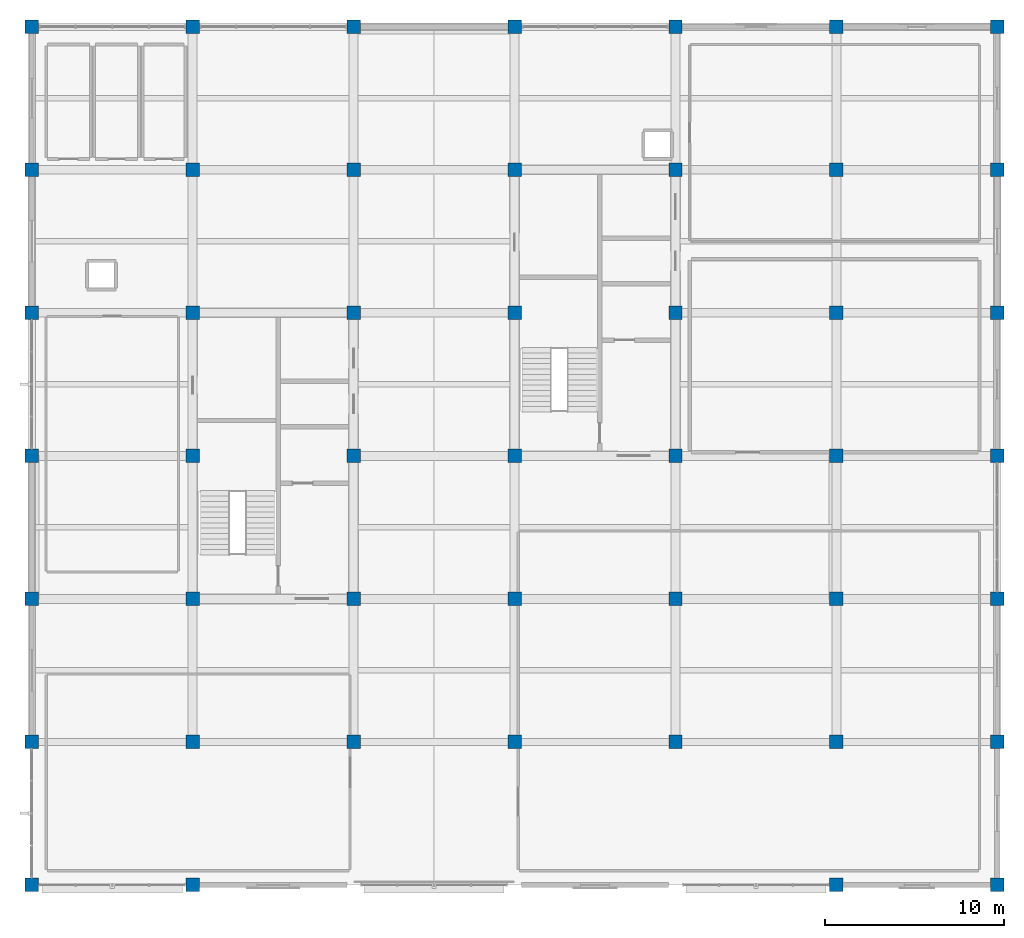
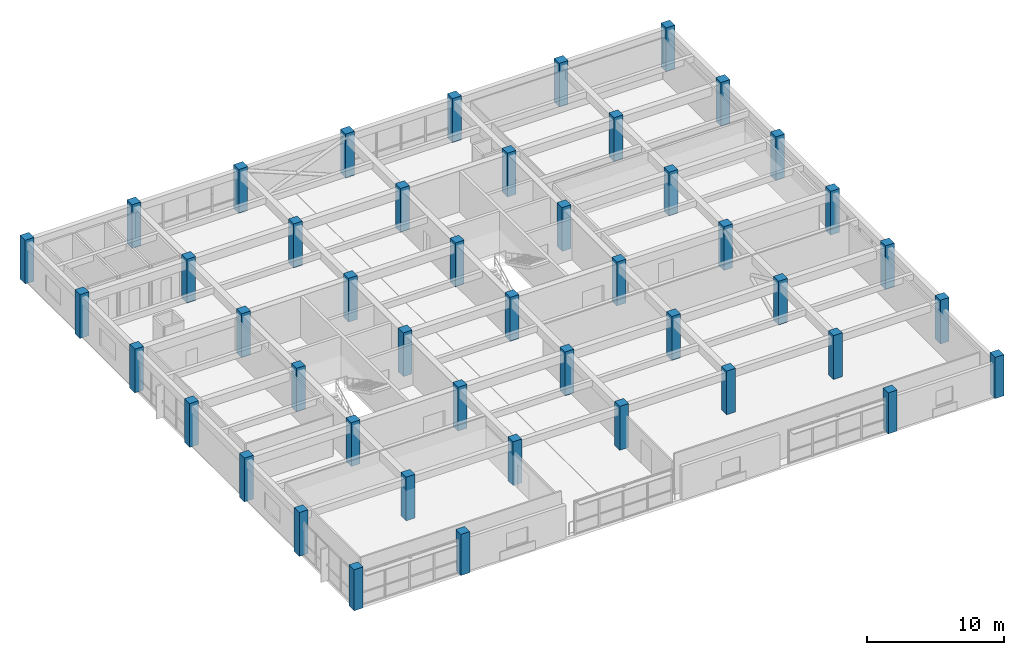
# One storey, part 1 of 15: 46 columns.
"""IFC4 building model written with IfcOpenShell, lengths in metres."""

from ifc_helpers import new_model, si_unit, direction, frame, origin, origin_2d, place, context, subcontext, project, spatial, rectangle, extrude, material, material_profile, profile_set, type_object, element, save


model = new_model("IFC4")

# Units and contexts
model_context = context("Model", 3, precision=1e-05, world=origin(), true_north=direction((0.0, 1.0)))
body_context = subcontext(model_context, "Body", "Model", "MODEL_VIEW")
ifc_project = project(units=[si_unit("LENGTHUNIT", "METRE"), si_unit("AREAUNIT", "SQUARE_METRE"), si_unit("VOLUMEUNIT", "CUBIC_METRE"), si_unit("PLANEANGLEUNIT", "RADIAN"), si_unit("MASSUNIT", "GRAM", prefix="KILO")], contexts=[model_context])

# Site, building, storey
site_placement = place(None, origin())
site = spatial("IfcSite", under=ifc_project, at=site_placement, CompositionType="ELEMENT")
building_placement = place(site_placement, origin())
building = spatial("IfcBuilding", under=site, at=building_placement, Name="Zaverband Oceanarium and Marine Research Institute", CompositionType="ELEMENT")
storey_placement = place(building_placement, frame((0.0, 0.0, 53.10009765625)))
storey = spatial("IfcBuildingStorey", under=building, at=storey_placement, Name="L13", CompositionType="ELEMENT", Elevation=53.10009765625)

# Columns
ifc_material = material(Name="Concrete C50/60", Category="concrete")
ifc_material_profile = material_profile(ifc_material, rectangle(XDim=0.75, YDim=0.75, at=origin_2d()), Name="RC750x750")
ifc_profile_set = profile_set([ifc_material_profile], Name="Concrete C50/60")
column_type = type_object("IfcColumnType", Name="COL-C750", PredefinedType="COLUMN", material=ifc_profile_set)
column_1_placement = place(storey_placement, frame((9.0, 64.0, 0.0), z_axis=(0.0, 0.0, 1.0), x_axis=(1.0, 0.0, 0.0)))
element("IfcColumn", 1, at=column_1_placement, inside=storey, type_object=column_type, Name="Reinforced concrete column RC750x750 COL-C750", PredefinedType="COLUMN", context=body_context, shape_type="SweptSolid", body=[
    extrude(rectangle(XDim=0.75, YDim=0.75, at=origin_2d()), origin(), (0.0, 0.0, 1.0), 3.659912109375),
])
for number, where, z_axis, x_axis, name in (
    (2, (9.0, 72.0, 0.0), (0.0, 0.0, 1.0), (1.0, 0.0, 0.0), "Reinforced concrete column RC750x750 COL-C750"),
    (3, (9.0, 80.0, 0.0), (0.0, 0.0, 1.0), (1.0, 0.0, 0.0), "Reinforced concrete column RC750x750 COL-C750"),
    (4, (9.0, 88.0, 0.0), (0.0, 0.0, 1.0), (1.0, 0.0, 0.0), "Reinforced concrete column RC750x750 COL-C750"),
    (5, (9.0, 96.0, 0.0), (0.0, 0.0, 1.0), (1.0, 0.0, 0.0), "Reinforced concrete column RC750x750 COL-C750"),
    (6, (9.0, 104.0, 0.0), (0.0, 0.0, 1.0), (1.0, 0.0, 0.0), "Reinforced concrete column RC750x750 COL-C750"),
    (7, (9.0, 112.0, 0.0), (0.0, 0.0, 1.0), (1.0, 0.0, 0.0), "Reinforced concrete column RC750x750 COL-C750"),
):
    element("IfcColumn", number, at=place(storey_placement, frame(where, z_axis=z_axis, x_axis=x_axis)), inside=storey, type_object=column_type, Name=name, PredefinedType="COLUMN", context=body_context, shape_type="SweptSolid", body=[
        extrude(rectangle(XDim=0.75, YDim=0.75, at=origin_2d()), origin(), (0.0, 0.0, 1.0), 3.89990234375),
    ])
column_2_placement = place(storey_placement, frame((18.0, 64.0, 0.0), z_axis=(0.0, 0.0, 1.0), x_axis=(1.0, 0.0, 0.0)))
element("IfcColumn", 8, at=column_2_placement, inside=storey, type_object=column_type, Name="Reinforced concrete column RC750x750 COL-C750", PredefinedType="COLUMN", context=body_context, shape_type="SweptSolid", body=[
    extrude(rectangle(XDim=0.75, YDim=0.75, at=origin_2d()), origin(), (0.0, 0.0, 1.0), 3.659912109375),
])
for number, where, z_axis, x_axis, name in (
    (9, (18.0, 72.0, 0.0), (0.0, 0.0, 1.0), (1.0, 0.0, 0.0), "Reinforced concrete column RC750x750 COL-C750"),
    (10, (18.0, 80.0, 0.0), (0.0, 0.0, 1.0), (1.0, 0.0, 0.0), "Reinforced concrete column RC750x750 COL-C750"),
    (11, (18.0, 88.0, 0.0), (0.0, 0.0, 1.0), (1.0, 0.0, 0.0), "Reinforced concrete column RC750x750 COL-C750"),
    (12, (18.0, 96.0, 0.0), (0.0, 0.0, 1.0), (1.0, 0.0, 0.0), "Reinforced concrete column RC750x750 COL-C750"),
    (13, (18.0, 104.0, 0.0), (0.0, 0.0, 1.0), (1.0, 0.0, 0.0), "Reinforced concrete column RC750x750 COL-C750"),
    (14, (18.0, 112.0, 0.0), (0.0, 0.0, 1.0), (1.0, 0.0, 0.0), "Reinforced concrete column RC750x750 COL-C750"),
    (15, (27.0, 72.0, 0.0), (0.0, 0.0, 1.0), (1.0, 0.0, 0.0), "Reinforced concrete column RC750x750 COL-C750"),
    (16, (27.0, 80.0, 0.0), (0.0, 0.0, 1.0), (1.0, 0.0, 0.0), "Reinforced concrete column RC750x750 COL-C750"),
    (17, (27.0, 88.0, 0.0), (0.0, 0.0, 1.0), (1.0, 0.0, 0.0), "Reinforced concrete column RC750x750 COL-C750"),
    (18, (27.0, 96.0, 0.0), (0.0, 0.0, 1.0), (1.0, 0.0, 0.0), "Reinforced concrete column RC750x750 COL-C750"),
    (19, (27.0, 104.0, 0.0), (0.0, 0.0, 1.0), (1.0, 0.0, 0.0), "Reinforced concrete column RC750x750 COL-C750"),
    (20, (27.0, 112.0, 0.0), (0.0, 0.0, 1.0), (1.0, 0.0, 0.0), "Reinforced concrete column RC750x750 COL-C750"),
    (21, (36.0, 72.0, 0.0), (0.0, 0.0, 1.0), (1.0, 0.0, 0.0), "Reinforced concrete column RC750x750 COL-C750"),
    (22, (36.0, 80.0, 0.0), (0.0, 0.0, 1.0), (1.0, 0.0, 0.0), "Reinforced concrete column RC750x750 COL-C750"),
    (23, (36.0, 88.0, 0.0), (0.0, 0.0, 1.0), (1.0, 0.0, 0.0), "Reinforced concrete column RC750x750 COL-C750"),
    (24, (36.0, 96.0, 0.0), (0.0, 0.0, 1.0), (1.0, 0.0, 0.0), "Reinforced concrete column RC750x750 COL-C750"),
    (25, (36.0, 104.0, 0.0), (0.0, 0.0, 1.0), (1.0, 0.0, 0.0), "Reinforced concrete column RC750x750 COL-C750"),
    (26, (36.0, 112.0, 0.0), (0.0, 0.0, 1.0), (1.0, 0.0, 0.0), "Reinforced concrete column RC750x750 COL-C750"),
    (27, (45.0, 72.0, 0.0), (0.0, 0.0, 1.0), (1.0, 0.0, 0.0), "Reinforced concrete column RC750x750 COL-C750"),
    (28, (45.0, 80.0, 0.0), (0.0, 0.0, 1.0), (1.0, 0.0, 0.0), "Reinforced concrete column RC750x750 COL-C750"),
    (29, (45.0, 88.0, 0.0), (0.0, 0.0, 1.0), (1.0, 0.0, 0.0), "Reinforced concrete column RC750x750 COL-C750"),
    (30, (45.0, 96.0, 0.0), (0.0, 0.0, 1.0), (1.0, 0.0, 0.0), "Reinforced concrete column RC750x750 COL-C750"),
    (31, (45.0, 104.0, 0.0), (0.0, 0.0, 1.0), (1.0, 0.0, 0.0), "Reinforced concrete column RC750x750 COL-C750"),
    (32, (45.0, 112.0, 0.0), (0.0, 0.0, 1.0), (1.0, 0.0, 0.0), "Reinforced concrete column RC750x750 COL-C750"),
):
    element("IfcColumn", number, at=place(storey_placement, frame(where, z_axis=z_axis, x_axis=x_axis)), inside=storey, type_object=column_type, Name=name, PredefinedType="COLUMN", context=body_context, shape_type="SweptSolid", body=[
        extrude(rectangle(XDim=0.75, YDim=0.75, at=origin_2d()), origin(), (0.0, 0.0, 1.0), 3.89990234375),
    ])
column_3_placement = place(storey_placement, frame((54.0, 64.0, 0.0), z_axis=(0.0, 0.0, 1.0), x_axis=(1.0, 0.0, 0.0)))
element("IfcColumn", 33, at=column_3_placement, inside=storey, type_object=column_type, Name="Reinforced concrete column RC750x750 COL-C750", PredefinedType="COLUMN", context=body_context, shape_type="SweptSolid", body=[
    extrude(rectangle(XDim=0.75, YDim=0.75, at=origin_2d()), origin(), (0.0, 0.0, 1.0), 3.659912109375),
])
for number, where, z_axis, x_axis, name in (
    (34, (54.0, 72.0, 0.0), (0.0, 0.0, 1.0), (1.0, 0.0, 0.0), "Reinforced concrete column RC750x750 COL-C750"),
    (35, (54.0, 80.0, 0.0), (0.0, 0.0, 1.0), (1.0, 0.0, 0.0), "Reinforced concrete column RC750x750 COL-C750"),
    (36, (54.0, 88.0, 0.0), (0.0, 0.0, 1.0), (1.0, 0.0, 0.0), "Reinforced concrete column RC750x750 COL-C750"),
    (37, (54.0, 96.0, 0.0), (0.0, 0.0, 1.0), (1.0, 0.0, 0.0), "Reinforced concrete column RC750x750 COL-C750"),
    (38, (54.0, 104.0, 0.0), (0.0, 0.0, 1.0), (1.0, 0.0, 0.0), "Reinforced concrete column RC750x750 COL-C750"),
    (39, (54.0, 112.0, 0.0), (0.0, 0.0, 1.0), (1.0, 0.0, 0.0), "Reinforced concrete column RC750x750 COL-C750"),
):
    element("IfcColumn", number, at=place(storey_placement, frame(where, z_axis=z_axis, x_axis=x_axis)), inside=storey, type_object=column_type, Name=name, PredefinedType="COLUMN", context=body_context, shape_type="SweptSolid", body=[
        extrude(rectangle(XDim=0.75, YDim=0.75, at=origin_2d()), origin(), (0.0, 0.0, 1.0), 3.89990234375),
    ])
column_4_placement = place(storey_placement, frame((63.0, 64.0, 0.0), z_axis=(0.0, 0.0, 1.0), x_axis=(1.0, 0.0, 0.0)))
element("IfcColumn", 40, at=column_4_placement, inside=storey, type_object=column_type, Name="Reinforced concrete column RC750x750 COL-C750", PredefinedType="COLUMN", context=body_context, shape_type="SweptSolid", body=[
    extrude(rectangle(XDim=0.75, YDim=0.75, at=origin_2d()), origin(), (0.0, 0.0, 1.0), 3.659912109375),
])
for number, where, z_axis, x_axis, name in (
    (41, (63.0, 72.0, 0.0), (0.0, 0.0, 1.0), (1.0, 0.0, 0.0), "Reinforced concrete column RC750x750 COL-C750"),
    (42, (63.0, 80.0, 0.0), (0.0, 0.0, 1.0), (1.0, 0.0, 0.0), "Reinforced concrete column RC750x750 COL-C750"),
    (43, (63.0, 88.0, 0.0), (0.0, 0.0, 1.0), (1.0, 0.0, 0.0), "Reinforced concrete column RC750x750 COL-C750"),
    (44, (63.0, 96.0, 0.0), (0.0, 0.0, 1.0), (1.0, 0.0, 0.0), "Reinforced concrete column RC750x750 COL-C750"),
    (45, (63.0, 104.0, 0.0), (0.0, 0.0, 1.0), (1.0, 0.0, 0.0), "Reinforced concrete column RC750x750 COL-C750"),
    (46, (63.0, 112.0, 0.0), (0.0, 0.0, 1.0), (1.0, 0.0, 0.0), "Reinforced concrete column RC750x750 COL-C750"),
):
    element("IfcColumn", number, at=place(storey_placement, frame(where, z_axis=z_axis, x_axis=x_axis)), inside=storey, type_object=column_type, Name=name, PredefinedType="COLUMN", context=body_context, shape_type="SweptSolid", body=[
        extrude(rectangle(XDim=0.75, YDim=0.75, at=origin_2d()), origin(), (0.0, 0.0, 1.0), 3.89990234375),
    ])

save(model, "model.ifc")
